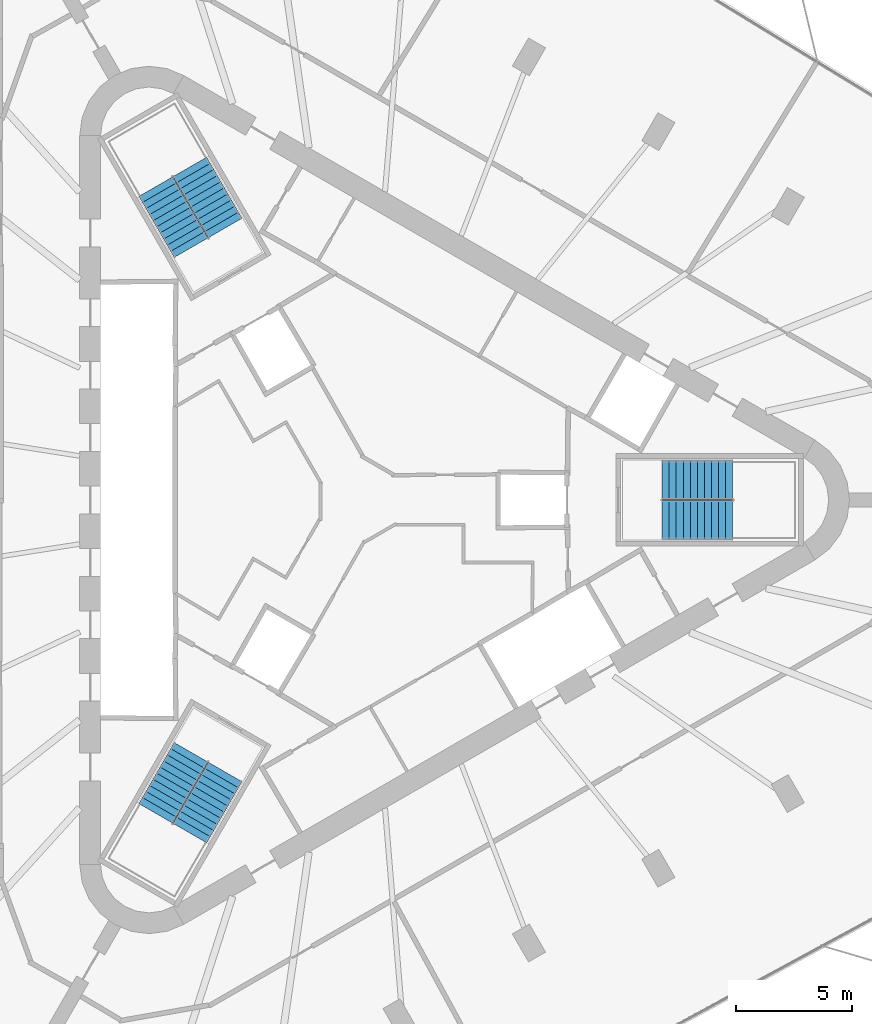
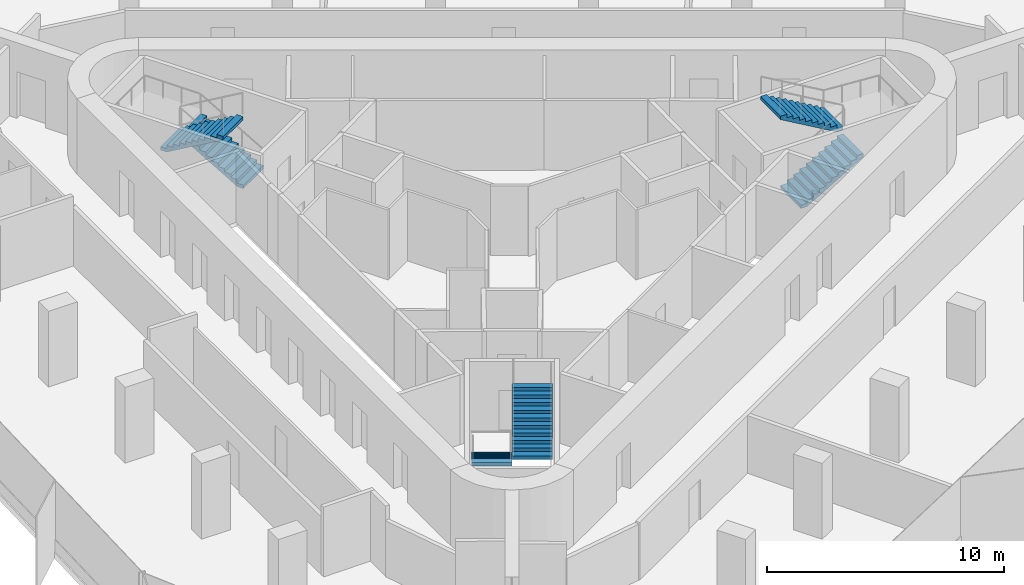
# One storey, part 12 of 13: 6 stair flights, 3 elements without a shape of their own.
"""IFC4 building model written with IfcOpenShell, lengths in metres."""

import ifcopenshell
import ifcopenshell.guid

model = None  # the IFC model being written
_history = None  # IfcOwnerHistory: only IFC2X3 demands one
_inside = {}  # id of a spatial element -> (the spatial element, [elements in it])
_under = {}  # id of a project, library or spatial element -> (it, [spatial elements below it])
_declared = {}  # id of a project -> (the project, [libraries it declares])
_typed = {}  # id of a type object -> (the type object, [elements of that type])
_made_of = {}  # id of a material, layer set ... -> (it, [elements and type objects made of it])


def new_model(schema):
    """Start an empty IFC model of exactly this schema.

    Asked for "IFC4X3", IfcOpenShell would pick the latest addendum, in which some entities
    have other attributes; the version numbers below select the first issue.
    IFC2X3 requires an IfcOwnerHistory on every rooted entity: one is made here for all.
    """
    global model, _history
    if schema == "IFC4X3":
        model = ifcopenshell.file(schema_version=(4, 3, 0, 0))
    else:
        model = ifcopenshell.file(schema=schema)
    _inside.clear()
    _under.clear()
    _declared.clear()
    _typed.clear()
    _made_of.clear()
    _history = None
    if model.schema == "IFC2X3":
        org = make("IfcOrganization", Name="unknown")
        user = make(
            "IfcPersonAndOrganization",
            ThePerson=make("IfcPerson", FamilyName="unknown"),
            TheOrganization=org,
        )
        app = make(
            "IfcApplication",
            ApplicationDeveloper=org,
            Version="unknown",
            ApplicationFullName="unknown",
            ApplicationIdentifier="unknown",
        )
        _history = make(
            "IfcOwnerHistory",
            OwningUser=user,
            OwningApplication=app,
            ChangeAction="ADDED",
            CreationDate=0,
        )
    return model


def make(cls, **values):
    """One entity of the class cls with the attributes given. An attribute that is None is left unset."""
    return model.create_entity(
        cls, **{name: value for name, value in values.items() if value is not None}
    )


def rooted(cls, **values):
    """An entity with a GlobalId (a new one), such as an element, a storey or a relation."""
    return make(cls, GlobalId=ifcopenshell.guid.new(), OwnerHistory=_history, **values)


def si_unit(unit_type, name, prefix=None):
    """IfcSIUnit, for example si_unit("LENGTHUNIT", "METRE", prefix="MILLI")."""
    return make("IfcSIUnit", UnitType=unit_type, Prefix=prefix, Name=name)


def assignment(units):
    """IfcUnitAssignment: the units of a project."""
    return None if units is None else make("IfcUnitAssignment", Units=units)


def point(xyz):
    """IfcCartesianPoint."""
    return None if xyz is None else make("IfcCartesianPoint", Coordinates=xyz)


def direction(xyz):
    """IfcDirection."""
    return None if xyz is None else make("IfcDirection", DirectionRatios=xyz)


def frame(location, z_axis=None, x_axis=None):
    """IfcAxis2Placement3D, a coordinate frame: its origin and axes. An axis left out is left unset."""
    return make(
        "IfcAxis2Placement3D",
        Location=point(location),
        Axis=direction(z_axis),
        RefDirection=direction(x_axis),
    )


def origin():
    """The frame at (0, 0, 0) with its axes left unset."""
    return frame((0.0, 0.0, 0.0))


def place(relative_to, where):
    """IfcLocalPlacement: puts the frame where relative to a parent placement (None: the world)."""
    return make(
        "IfcLocalPlacement", PlacementRelTo=relative_to, RelativePlacement=where
    )


def context(
    kind, dimensions, precision=None, world=None, true_north=None, identifier=None
):
    """IfcGeometricRepresentationContext, for example the 3D "Model" context."""
    return make(
        "IfcGeometricRepresentationContext",
        ContextIdentifier=identifier,
        ContextType=kind,
        CoordinateSpaceDimension=dimensions,
        Precision=precision,
        WorldCoordinateSystem=world,
        TrueNorth=true_north,
    )


def subcontext(parent, identifier, kind, view, scale=None):
    """IfcGeometricRepresentationSubContext, for example "Body" below "Model"."""
    return make(
        "IfcGeometricRepresentationSubContext",
        ContextIdentifier=identifier,
        ContextType=kind,
        ParentContext=parent,
        TargetScale=scale,
        TargetView=view,
    )


def project(units=None, contexts=None):
    """IfcProject with its units and contexts."""
    return rooted(
        "IfcProject",
        Name="project",
        RepresentationContexts=contexts,
        UnitsInContext=assignment(units),
    )


def spatial(cls, under=None, at=None, **own):
    """A site, building, storey or space (cls), placed at a placement, below another one or the project."""
    s = rooted(cls, ObjectPlacement=at, **own)
    if under is not None:
        _under.setdefault(under.id(), (under, []))[1].append(s)
    return s


def polyline(points):
    """IfcPolyline through the points."""
    return make("IfcPolyline", Points=[point(p) for p in points])


def outline(outer, holes=None, kind="AREA"):
    """IfcArbitraryClosedProfileDef: a profile drawn as a closed curve; with holes, ...WithVoids."""
    if holes is None:
        return make("IfcArbitraryClosedProfileDef", ProfileType=kind, OuterCurve=outer)
    return make(
        "IfcArbitraryProfileDefWithVoids",
        ProfileType=kind,
        OuterCurve=outer,
        InnerCurves=holes,
    )


def extrude(swept, where, along, depth):
    """IfcExtrudedAreaSolid: the profile swept, set in the frame where, extruded along a direction by depth."""
    return make(
        "IfcExtrudedAreaSolid",
        SweptArea=swept,
        Position=where,
        ExtrudedDirection=direction(along),
        Depth=depth,
    )


def shape(context_of_items, identifier, shape_type, items):
    """IfcShapeRepresentation: the items that make up one representation, for example the "Body"."""
    return make(
        "IfcShapeRepresentation",
        ContextOfItems=context_of_items,
        RepresentationIdentifier=identifier,
        RepresentationType=shape_type,
        Items=items,
    )


def material(Name=None, Category=None):
    """IfcMaterial."""
    return make("IfcMaterial", Name=Name, Category=Category)


def made_of(thing, what):
    """Note that an element or type object is made of a material, layer set ...; save() writes the relation."""
    if what is not None:
        _made_of.setdefault(what.id(), (what, []))[1].append(thing)
    return thing


def type_object(cls, material=None, **own):
    """A type object (cls), such as IfcWallType, which elements share."""
    return made_of(rooted(cls, **own), material)


def element(
    cls,
    number,
    at=None,
    inside=None,
    cuts=None,
    type_object=None,
    material=None,
    context=None,
    identifier="Body",
    shape_type=None,
    held_by="IfcProductDefinitionShape",
    body=None,
    shapes=None,
    **own,
):
    """One element of the class cls, such as IfcWall. Its Tag is "e" and its number.

    at: its placement. inside: the storey or other place that contains it. cuts: it is an
    opening in that element (IfcRelVoidsElement). A single representation is given by context,
    identifier, shape_type and body (its items); several are given by shapes. held_by: the class
    of the entity that holds the representations. save() writes the other relations.
    """
    e = rooted(cls, Tag="e%d" % number, ObjectPlacement=at, **own)
    if body is not None:
        shapes = [shape(context, identifier, shape_type, body)]
    if shapes is not None:
        e.Representation = make(held_by, Representations=shapes)
    if inside is not None:
        _inside.setdefault(inside.id(), (inside, []))[1].append(e)
    if cuts is not None:
        rooted(
            "IfcRelVoidsElement", RelatingBuildingElement=cuts, RelatedOpeningElement=e
        )
    if type_object is not None:
        _typed.setdefault(type_object.id(), (type_object, []))[1].append(e)
    return made_of(e, material)


def aggregate(whole, parts):
    """IfcRelAggregates: a whole, such as a stair, and the parts it consists of."""
    return rooted("IfcRelAggregates", RelatingObject=whole, RelatedObjects=parts)


def save(model, path):
    """Write the relations noted so far, then the file.

    IfcRelAggregates (storeys below a building ...), IfcRelContainedInSpatialStructure (elements
    in a storey), IfcRelDefinesByType, IfcRelAssociatesMaterial and IfcRelDeclares: one each for
    every whole, place, type object, material and project.
    """
    for whole, parts in _under.values():
        aggregate(whole, parts)
    for where, things in _inside.values():
        rooted(
            "IfcRelContainedInSpatialStructure",
            RelatedElements=things,
            RelatingStructure=where,
        )
    for kind, things in _typed.values():
        rooted("IfcRelDefinesByType", RelatedObjects=things, RelatingType=kind)
    for what, things in _made_of.values():
        rooted("IfcRelAssociatesMaterial", RelatedObjects=things, RelatingMaterial=what)
    for by, libraries in _declared.values():
        rooted("IfcRelDeclares", RelatingContext=by, RelatedDefinitions=libraries)
    model.write(path)


model = new_model("IFC4")

# Units and contexts
model_context = context("Model", 3, precision=1e-05, world=origin(), true_north=direction((0.0, 1.0)))
body_context = subcontext(model_context, "Body", "Model", "MODEL_VIEW")
ifc_project = project(units=[si_unit("LENGTHUNIT", "METRE"), si_unit("AREAUNIT", "SQUARE_METRE"), si_unit("VOLUMEUNIT", "CUBIC_METRE"), si_unit("PLANEANGLEUNIT", "RADIAN"), si_unit("MASSUNIT", "GRAM", prefix="KILO")], contexts=[model_context])

# Site, building, storey
site_placement = place(None, origin())
site = spatial("IfcSite", under=ifc_project, at=site_placement, CompositionType="ELEMENT")
building_placement = place(site_placement, origin())
building = spatial("IfcBuilding", under=site, at=building_placement, Name="Tanit Gate Tower", CompositionType="ELEMENT")
storey_placement = place(building_placement, frame((0.0, 0.0, 322.10009765625)))
storey = spatial("IfcBuildingStorey", under=building, at=storey_placement, Name="L72", CompositionType="ELEMENT", Elevation=322.10009765625)

# Stair, stair flights
ifc_material_1 = material(Name="Concrete C40/50", Category="concrete")
stair_type = type_object("IfcStairType", Name="INT-STAIR-EXIT", PredefinedType="HALF_TURN_STAIR", material=ifc_material_1)
stair_1_placement = place(storey_placement, origin())
stair_1 = element("IfcStair", 1, at=stair_1_placement, inside=storey, type_object=stair_type, Name="L72 STAIR S1", PredefinedType="HALF_TURN_STAIR")
ifc_material_2 = material(Name="Concrete C40/50", Category="concrete")
stair_flight_type = type_object("IfcStairFlightType", Name="INT-STAIR-FLIGHT", PredefinedType="STRAIGHT", material=ifc_material_2)
stair_flight_1_placement = place(storey_placement, frame((13.094970703125, -0.8525390625, 0.0), z_axis=(0.0, 0.0, 1.0), x_axis=(1.0, 0.0, 0.0)))
stair_flight_1 = element("IfcStairFlight", 2, at=stair_flight_1_placement, type_object=stair_flight_type, Name="S1 flight 1", NumberOfRisers=11, NumberOfTreads=10, PredefinedType="STRAIGHT", RiserHeight=0.177272727, TreadLength=0.3051, context=body_context, shape_type="SweptSolid", body=[
    extrude(outline(polyline([(0.0, 0.0), (0.0, 0.17724609375), (0.30517578125, 0.17724609375), (0.30517578125, 0.3544921875), (0.610107421875, 0.3544921875), (0.610107421875, 0.53173828125), (0.915283203125, 0.53173828125), (0.915283203125, 0.708984375), (1.220458984375, 0.708984375), (1.220458984375, 0.886474609375), (1.525390625, 0.886474609375), (1.525390625, 1.063720703125), (1.83056640625, 1.063720703125), (1.83056640625, 1.240966796875), (2.1357421875, 1.240966796875), (2.1357421875, 1.418212890625), (2.44091796875, 1.418212890625), (2.44091796875, 1.595458984375), (2.745849609375, 1.595458984375), (2.745849609375, 1.772705078125), (3.051025390625, 1.772705078125), (3.051025390625, 1.949951171875), (3.051025390625, 1.599365234375), (0.29833984375, 0.0), (0.0, 0.0)])), frame((0.0, 0.84765625, 0.0), z_axis=(0.0, -1.0, 0.0), x_axis=(1.0, 0.0, 0.0)), (0.0, 0.0, 1.0), 1.695068359375),
])
stair_flight_2_placement = place(storey_placement, frame((16.14599609375, 0.8525390625, 1.949951171875), z_axis=(0.0, 0.0, 1.0), x_axis=(-1.0, 0.0, 0.0)))
stair_flight_2 = element("IfcStairFlight", 3, at=stair_flight_2_placement, type_object=stair_flight_type, Name="S1 flight 2", NumberOfRisers=11, NumberOfTreads=10, PredefinedType="STRAIGHT", RiserHeight=0.177272727, TreadLength=0.3051, context=body_context, shape_type="SweptSolid", body=[
    extrude(outline(polyline([(0.0, 0.0), (0.0, 0.17724609375), (0.30517578125, 0.17724609375), (0.30517578125, 0.3544921875), (0.610107421875, 0.3544921875), (0.610107421875, 0.53173828125), (0.915283203125, 0.53173828125), (0.915283203125, 0.708984375), (1.220458984375, 0.708984375), (1.220458984375, 0.886474609375), (1.525390625, 0.886474609375), (1.525390625, 1.063720703125), (1.83056640625, 1.063720703125), (1.83056640625, 1.240966796875), (2.1357421875, 1.240966796875), (2.1357421875, 1.418212890625), (2.44091796875, 1.418212890625), (2.44091796875, 1.595458984375), (2.745849609375, 1.595458984375), (2.745849609375, 1.772705078125), (3.051025390625, 1.772705078125), (3.051025390625, 1.949951171875), (3.051025390625, 1.599365234375), (0.29833984375, 0.0), (0.0, 0.0)])), frame((0.0, 0.84765625, 0.0), z_axis=(0.0, -1.0, 0.0), x_axis=(1.0, 0.0, 0.0)), (0.0, 0.0, 1.0), 1.695068359375),
])
aggregate(stair_1, [stair_flight_1, stair_flight_2])

stair_2_placement = place(storey_placement, origin())
stair_2 = element("IfcStair", 4, at=stair_2_placement, inside=storey, type_object=stair_type, Name="L72 STAIR S2", PredefinedType="HALF_TURN_STAIR")
stair_flight_3_placement = place(storey_placement, frame((-5.808349609375, 11.766357421875, 0.0), z_axis=(0.0, 0.0, 1.0), x_axis=(-0.5, 0.866025403784, 0.0)))
stair_flight_3 = element("IfcStairFlight", 5, at=stair_flight_3_placement, type_object=stair_flight_type, Name="S2 flight 1", NumberOfRisers=11, NumberOfTreads=10, PredefinedType="STRAIGHT", RiserHeight=0.177272727, TreadLength=0.30492, context=body_context, shape_type="SweptSolid", body=[
    extrude(outline(polyline([(0.0, 0.0), (0.0, 0.17724609375), (0.304931640625, 0.17724609375), (0.304931640625, 0.3544921875), (0.60986328125, 0.3544921875), (0.60986328125, 0.53173828125), (0.914794921875, 0.53173828125), (0.914794921875, 0.708984375), (1.2197265625, 0.708984375), (1.2197265625, 0.886474609375), (1.524658203125, 0.886474609375), (1.524658203125, 1.063720703125), (1.82958984375, 1.063720703125), (1.82958984375, 1.240966796875), (2.134521484375, 1.240966796875), (2.134521484375, 1.418212890625), (2.439453125, 1.418212890625), (2.439453125, 1.595458984375), (2.744384765625, 1.595458984375), (2.744384765625, 1.772705078125), (3.04931640625, 1.772705078125), (3.04931640625, 1.949951171875), (3.04931640625, 1.599365234375), (0.29833984375, 0.0), (0.0, 0.0)])), frame((0.0, 0.84716796875, 0.0), z_axis=(0.0, -1.0, 0.0), x_axis=(1.0, 0.0, 0.0)), (0.0, 0.0, 1.0), 1.694091796875),
])
stair_flight_4_placement = place(storey_placement, frame((-8.810302734375, 13.553955078125, 1.949951171875), z_axis=(0.0, 0.0, 1.0), x_axis=(0.5, -0.866025403784, 0.0)))
stair_flight_4 = element("IfcStairFlight", 6, at=stair_flight_4_placement, type_object=stair_flight_type, Name="S2 flight 2", NumberOfRisers=11, NumberOfTreads=10, PredefinedType="STRAIGHT", RiserHeight=0.177272727, TreadLength=0.30492, context=body_context, shape_type="SweptSolid", body=[
    extrude(outline(polyline([(0.0, 0.0), (0.0, 0.17724609375), (0.304931640625, 0.17724609375), (0.304931640625, 0.3544921875), (0.60986328125, 0.3544921875), (0.60986328125, 0.53173828125), (0.914794921875, 0.53173828125), (0.914794921875, 0.708984375), (1.2197265625, 0.708984375), (1.2197265625, 0.886474609375), (1.524658203125, 0.886474609375), (1.524658203125, 1.063720703125), (1.82958984375, 1.063720703125), (1.82958984375, 1.240966796875), (2.134521484375, 1.240966796875), (2.134521484375, 1.418212890625), (2.439453125, 1.418212890625), (2.439453125, 1.595458984375), (2.744384765625, 1.595458984375), (2.744384765625, 1.772705078125), (3.04931640625, 1.772705078125), (3.04931640625, 1.949951171875), (3.04931640625, 1.599365234375), (0.29833984375, 0.0), (0.0, 0.0)])), frame((0.0, 0.84716796875, 0.0), z_axis=(0.0, -1.0, 0.0), x_axis=(1.0, 0.0, 0.0)), (0.0, 0.0, 1.0), 1.694091796875),
])
aggregate(stair_2, [stair_flight_3, stair_flight_4])

stair_3_placement = place(storey_placement, origin())
stair_3 = element("IfcStair", 7, at=stair_3_placement, inside=storey, type_object=stair_type, Name="L72 STAIR S3", PredefinedType="HALF_TURN_STAIR")
stair_flight_5_placement = place(storey_placement, frame((-7.285888671875, -10.914306640625, 0.0), z_axis=(0.0, 0.0, 1.0), x_axis=(-0.5, -0.866025403784, 0.0)))
stair_flight_5 = element("IfcStairFlight", 8, at=stair_flight_5_placement, type_object=stair_flight_type, Name="S3 flight 1", NumberOfRisers=11, NumberOfTreads=10, PredefinedType="STRAIGHT", RiserHeight=0.177272727, TreadLength=0.3051, context=body_context, shape_type="SweptSolid", body=[
    extrude(outline(polyline([(0.0, 0.0), (0.0, 0.17724609375), (0.30517578125, 0.17724609375), (0.30517578125, 0.3544921875), (0.610107421875, 0.3544921875), (0.610107421875, 0.53173828125), (0.915283203125, 0.53173828125), (0.915283203125, 0.708984375), (1.220458984375, 0.708984375), (1.220458984375, 0.886474609375), (1.525390625, 0.886474609375), (1.525390625, 1.063720703125), (1.83056640625, 1.063720703125), (1.83056640625, 1.240966796875), (2.1357421875, 1.240966796875), (2.1357421875, 1.418212890625), (2.44091796875, 1.418212890625), (2.44091796875, 1.595458984375), (2.745849609375, 1.595458984375), (2.745849609375, 1.772705078125), (3.051025390625, 1.772705078125), (3.051025390625, 1.949951171875), (3.051025390625, 1.599365234375), (0.29833984375, 0.0), (0.0, 0.0)])), frame((0.0, 0.84765625, 0.0), z_axis=(0.0, -1.0, 0.0), x_axis=(1.0, 0.0, 0.0)), (0.0, 0.0, 1.0), 1.695068359375),
])
stair_flight_6_placement = place(storey_placement, frame((-7.334716796875, -14.4091796875, 1.949951171875), z_axis=(0.0, 0.0, 1.0), x_axis=(0.5, 0.866025403784, 0.0)))
stair_flight_6 = element("IfcStairFlight", 9, at=stair_flight_6_placement, type_object=stair_flight_type, Name="S3 flight 2", NumberOfRisers=11, NumberOfTreads=10, PredefinedType="STRAIGHT", RiserHeight=0.177272727, TreadLength=0.3051, context=body_context, shape_type="SweptSolid", body=[
    extrude(outline(polyline([(0.0, 0.0), (0.0, 0.17724609375), (0.30517578125, 0.17724609375), (0.30517578125, 0.3544921875), (0.610107421875, 0.3544921875), (0.610107421875, 0.53173828125), (0.915283203125, 0.53173828125), (0.915283203125, 0.708984375), (1.220458984375, 0.708984375), (1.220458984375, 0.886474609375), (1.525390625, 0.886474609375), (1.525390625, 1.063720703125), (1.83056640625, 1.063720703125), (1.83056640625, 1.240966796875), (2.1357421875, 1.240966796875), (2.1357421875, 1.418212890625), (2.44091796875, 1.418212890625), (2.44091796875, 1.595458984375), (2.745849609375, 1.595458984375), (2.745849609375, 1.772705078125), (3.051025390625, 1.772705078125), (3.051025390625, 1.949951171875), (3.051025390625, 1.599365234375), (0.29833984375, 0.0), (0.0, 0.0)])), frame((0.0, 0.84765625, 0.0), z_axis=(0.0, -1.0, 0.0), x_axis=(1.0, 0.0, 0.0)), (0.0, 0.0, 1.0), 1.695068359375),
])
aggregate(stair_3, [stair_flight_5, stair_flight_6])

save(model, "model.ifc")
